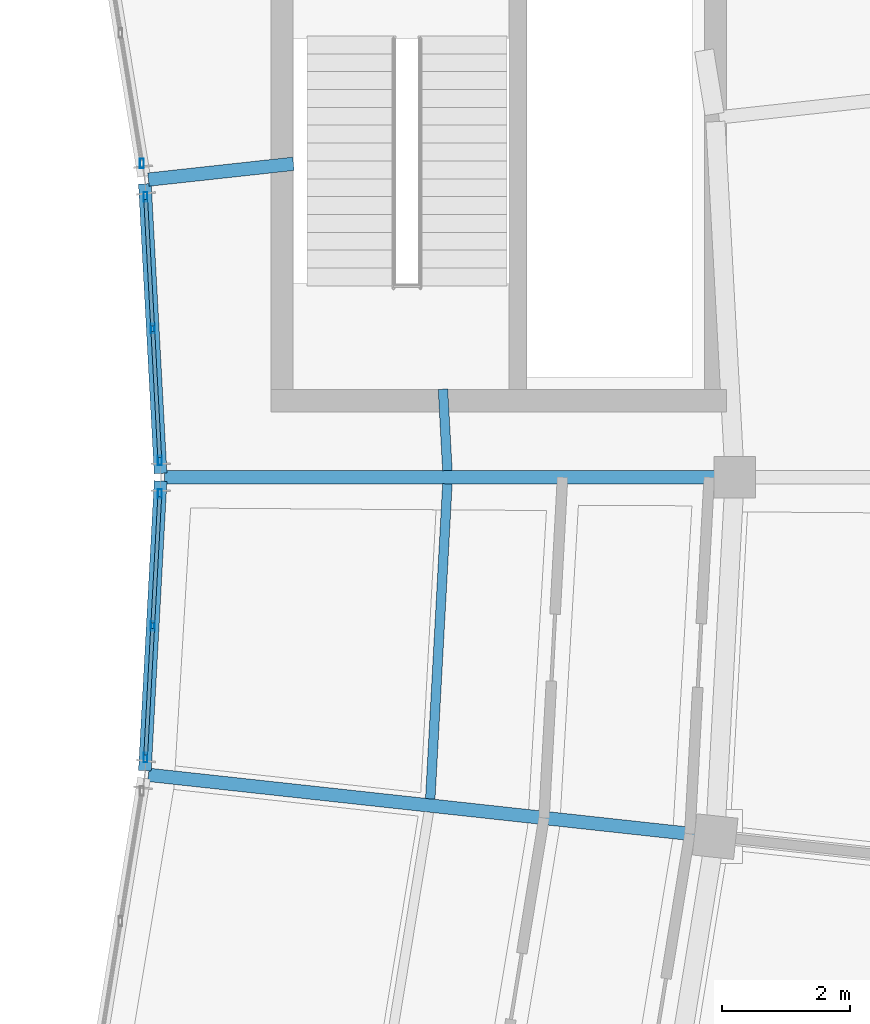
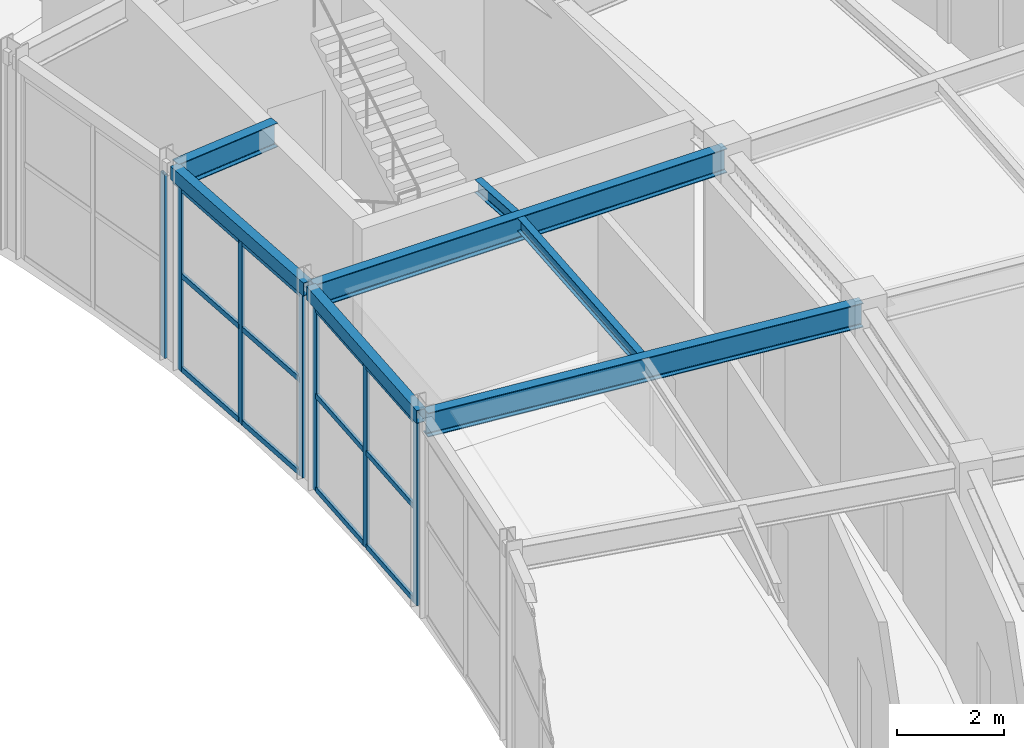
# One storey, part 67 of 108: 19 members, 7 beams, 3 elements without a shape of their own.
"""IFC4 building model written with IfcOpenShell, lengths in metres."""

import ifcopenshell
import ifcopenshell.guid

model = None  # the IFC model being written
_history = None  # IfcOwnerHistory: only IFC2X3 demands one
_inside = {}  # id of a spatial element -> (the spatial element, [elements in it])
_under = {}  # id of a project, library or spatial element -> (it, [spatial elements below it])
_declared = {}  # id of a project -> (the project, [libraries it declares])
_typed = {}  # id of a type object -> (the type object, [elements of that type])
_made_of = {}  # id of a material, layer set ... -> (it, [elements and type objects made of it])


def new_model(schema):
    """Start an empty IFC model of exactly this schema.

    Asked for "IFC4X3", IfcOpenShell would pick the latest addendum, in which some entities
    have other attributes; the version numbers below select the first issue.
    IFC2X3 requires an IfcOwnerHistory on every rooted entity: one is made here for all.
    """
    global model, _history
    if schema == "IFC4X3":
        model = ifcopenshell.file(schema_version=(4, 3, 0, 0))
    else:
        model = ifcopenshell.file(schema=schema)
    _inside.clear()
    _under.clear()
    _declared.clear()
    _typed.clear()
    _made_of.clear()
    _history = None
    if model.schema == "IFC2X3":
        org = make("IfcOrganization", Name="unknown")
        user = make(
            "IfcPersonAndOrganization",
            ThePerson=make("IfcPerson", FamilyName="unknown"),
            TheOrganization=org,
        )
        app = make(
            "IfcApplication",
            ApplicationDeveloper=org,
            Version="unknown",
            ApplicationFullName="unknown",
            ApplicationIdentifier="unknown",
        )
        _history = make(
            "IfcOwnerHistory",
            OwningUser=user,
            OwningApplication=app,
            ChangeAction="ADDED",
            CreationDate=0,
        )
    return model


def make(cls, **values):
    """One entity of the class cls with the attributes given. An attribute that is None is left unset."""
    return model.create_entity(
        cls, **{name: value for name, value in values.items() if value is not None}
    )


def rooted(cls, **values):
    """An entity with a GlobalId (a new one), such as an element, a storey or a relation."""
    return make(cls, GlobalId=ifcopenshell.guid.new(), OwnerHistory=_history, **values)


def si_unit(unit_type, name, prefix=None):
    """IfcSIUnit, for example si_unit("LENGTHUNIT", "METRE", prefix="MILLI")."""
    return make("IfcSIUnit", UnitType=unit_type, Prefix=prefix, Name=name)


def assignment(units):
    """IfcUnitAssignment: the units of a project."""
    return None if units is None else make("IfcUnitAssignment", Units=units)


def point(xyz):
    """IfcCartesianPoint."""
    return None if xyz is None else make("IfcCartesianPoint", Coordinates=xyz)


def direction(xyz):
    """IfcDirection."""
    return None if xyz is None else make("IfcDirection", DirectionRatios=xyz)


def frame(location, z_axis=None, x_axis=None):
    """IfcAxis2Placement3D, a coordinate frame: its origin and axes. An axis left out is left unset."""
    return make(
        "IfcAxis2Placement3D",
        Location=point(location),
        Axis=direction(z_axis),
        RefDirection=direction(x_axis),
    )


def frame_2d(location, x_axis=None):
    """IfcAxis2Placement2D, a coordinate frame in the plane: its origin and x axis."""
    return make(
        "IfcAxis2Placement2D", Location=point(location), RefDirection=direction(x_axis)
    )


def origin():
    """The frame at (0, 0, 0) with its axes left unset."""
    return frame((0.0, 0.0, 0.0))


def origin_2d():
    """The frame at (0, 0) in the plane with its x axis left unset."""
    return frame_2d((0.0, 0.0))


def place(relative_to, where):
    """IfcLocalPlacement: puts the frame where relative to a parent placement (None: the world)."""
    return make(
        "IfcLocalPlacement", PlacementRelTo=relative_to, RelativePlacement=where
    )


def context(
    kind, dimensions, precision=None, world=None, true_north=None, identifier=None
):
    """IfcGeometricRepresentationContext, for example the 3D "Model" context."""
    return make(
        "IfcGeometricRepresentationContext",
        ContextIdentifier=identifier,
        ContextType=kind,
        CoordinateSpaceDimension=dimensions,
        Precision=precision,
        WorldCoordinateSystem=world,
        TrueNorth=true_north,
    )


def subcontext(parent, identifier, kind, view, scale=None):
    """IfcGeometricRepresentationSubContext, for example "Body" below "Model"."""
    return make(
        "IfcGeometricRepresentationSubContext",
        ContextIdentifier=identifier,
        ContextType=kind,
        ParentContext=parent,
        TargetScale=scale,
        TargetView=view,
    )


def project(units=None, contexts=None):
    """IfcProject with its units and contexts."""
    return rooted(
        "IfcProject",
        Name="project",
        RepresentationContexts=contexts,
        UnitsInContext=assignment(units),
    )


def spatial(cls, under=None, at=None, **own):
    """A site, building, storey or space (cls), placed at a placement, below another one or the project."""
    s = rooted(cls, ObjectPlacement=at, **own)
    if under is not None:
        _under.setdefault(under.id(), (under, []))[1].append(s)
    return s


def profile(cls, at=None, kind="AREA", **sizes):
    """A parametric profile (cls). Its sizes go by their IFC names, for example OverallWidth=200.0."""
    return make(cls, ProfileType=kind, Position=at, **sizes)


def hollow_rectangle(**sizes):
    """IfcRectangleHollowProfileDef."""
    return profile("IfcRectangleHollowProfileDef", **sizes)


def i_section(**sizes):
    """IfcIShapeProfileDef."""
    return profile("IfcIShapeProfileDef", **sizes)


def extrude(swept, where, along, depth):
    """IfcExtrudedAreaSolid: the profile swept, set in the frame where, extruded along a direction by depth."""
    return make(
        "IfcExtrudedAreaSolid",
        SweptArea=swept,
        Position=where,
        ExtrudedDirection=direction(along),
        Depth=depth,
    )


def shape(context_of_items, identifier, shape_type, items):
    """IfcShapeRepresentation: the items that make up one representation, for example the "Body"."""
    return make(
        "IfcShapeRepresentation",
        ContextOfItems=context_of_items,
        RepresentationIdentifier=identifier,
        RepresentationType=shape_type,
        Items=items,
    )


def material(Name=None, Category=None):
    """IfcMaterial."""
    return make("IfcMaterial", Name=Name, Category=Category)


def material_profile(
    of_material, cross_section, Name=None, Category=None, Priority=None
):
    """IfcMaterialProfile: a cross section and its material."""
    return make(
        "IfcMaterialProfile",
        Name=Name,
        Material=of_material,
        Profile=cross_section,
        Priority=Priority,
        Category=Category,
    )


def profile_set(profiles, Name=None, composite=None):
    """IfcMaterialProfileSet."""
    return make(
        "IfcMaterialProfileSet",
        Name=Name,
        MaterialProfiles=profiles,
        CompositeProfile=composite,
    )


def made_of(thing, what):
    """Note that an element or type object is made of a material, layer set ...; save() writes the relation."""
    if what is not None:
        _made_of.setdefault(what.id(), (what, []))[1].append(thing)
    return thing


def type_object(cls, material=None, **own):
    """A type object (cls), such as IfcWallType, which elements share."""
    return made_of(rooted(cls, **own), material)


def element(
    cls,
    number,
    at=None,
    inside=None,
    cuts=None,
    type_object=None,
    material=None,
    context=None,
    identifier="Body",
    shape_type=None,
    held_by="IfcProductDefinitionShape",
    body=None,
    shapes=None,
    **own,
):
    """One element of the class cls, such as IfcWall. Its Tag is "e" and its number.

    at: its placement. inside: the storey or other place that contains it. cuts: it is an
    opening in that element (IfcRelVoidsElement). A single representation is given by context,
    identifier, shape_type and body (its items); several are given by shapes. held_by: the class
    of the entity that holds the representations. save() writes the other relations.
    """
    e = rooted(cls, Tag="e%d" % number, ObjectPlacement=at, **own)
    if body is not None:
        shapes = [shape(context, identifier, shape_type, body)]
    if shapes is not None:
        e.Representation = make(held_by, Representations=shapes)
    if inside is not None:
        _inside.setdefault(inside.id(), (inside, []))[1].append(e)
    if cuts is not None:
        rooted(
            "IfcRelVoidsElement", RelatingBuildingElement=cuts, RelatedOpeningElement=e
        )
    if type_object is not None:
        _typed.setdefault(type_object.id(), (type_object, []))[1].append(e)
    return made_of(e, material)


def aggregate(whole, parts):
    """IfcRelAggregates: a whole, such as a stair, and the parts it consists of."""
    return rooted("IfcRelAggregates", RelatingObject=whole, RelatedObjects=parts)


def save(model, path):
    """Write the relations noted so far, then the file.

    IfcRelAggregates (storeys below a building ...), IfcRelContainedInSpatialStructure (elements
    in a storey), IfcRelDefinesByType, IfcRelAssociatesMaterial and IfcRelDeclares: one each for
    every whole, place, type object, material and project.
    """
    for whole, parts in _under.values():
        aggregate(whole, parts)
    for where, things in _inside.values():
        rooted(
            "IfcRelContainedInSpatialStructure",
            RelatedElements=things,
            RelatingStructure=where,
        )
    for kind, things in _typed.values():
        rooted("IfcRelDefinesByType", RelatedObjects=things, RelatingType=kind)
    for what, things in _made_of.values():
        rooted("IfcRelAssociatesMaterial", RelatedObjects=things, RelatingMaterial=what)
    for by, libraries in _declared.values():
        rooted("IfcRelDeclares", RelatingContext=by, RelatedDefinitions=libraries)
    model.write(path)


model = new_model("IFC4")

# Units and contexts
model_context = context("Model", 3, precision=1e-05, world=origin(), true_north=direction((0.0, 1.0)))
body_context = subcontext(model_context, "Body", "Model", "MODEL_VIEW")
ifc_project = project(units=[si_unit("LENGTHUNIT", "METRE"), si_unit("AREAUNIT", "SQUARE_METRE"), si_unit("VOLUMEUNIT", "CUBIC_METRE"), si_unit("PLANEANGLEUNIT", "RADIAN"), si_unit("MASSUNIT", "GRAM", prefix="KILO")], contexts=[model_context])

# Site, building, storey
site_placement = place(None, origin())
site = spatial("IfcSite", under=ifc_project, at=site_placement, CompositionType="ELEMENT")
building_placement = place(site_placement, origin())
building = spatial("IfcBuilding", under=site, at=building_placement, Name="Tarnveldt Headland Concert Hall", CompositionType="ELEMENT")
storey_placement = place(building_placement, frame((0.0, 0.0, 9.60009765625)))
storey = spatial("IfcBuildingStorey", under=building, at=storey_placement, Name="L02", CompositionType="ELEMENT", Elevation=9.60009765625)

# Curtain wall, members
ifc_material_1 = material(Name="Marine-anodised aluminium EN AW-6063-T6", Category="aluminium")
curtain_wall_type = type_object("IfcCurtainWallType", Name="CW-C3", PredefinedType="NOTDEFINED", material=ifc_material_1)
curtain_wall_1_placement = place(storey_placement, origin())
curtain_wall_1 = element("IfcCurtainWall", 1, at=curtain_wall_1_placement, inside=storey, type_object=curtain_wall_type, Name="Curtain wall CW-L02-126", PredefinedType="NOTDEFINED")
ifc_material_profile_1 = material_profile(ifc_material_1, hollow_rectangle(XDim=0.06005859375, YDim=0.14990234375, WallThickness=0.00390625, at=origin_2d()), Name="ALU MULLION 60x150x4", Category="aluminium")
ifc_profile_set_1 = profile_set([ifc_material_profile_1], Name="Marine-anodised aluminium EN AW-6063-T6")
member_type_1 = type_object("IfcMemberType", Name="ML-150", PredefinedType="MULLION", material=ifc_profile_set_1)
member_1_placement = place(storey_placement, frame((160.260986328125, 55.60400390625, 0.0), z_axis=(0.0, 0.0, 1.0), x_axis=(1.0, 0.0, 0.0)))
member_1 = element("IfcMember", 2, at=member_1_placement, type_object=member_type_1, Name="Mullion CW-L02-126-1", PredefinedType="MULLION", context=body_context, shape_type="SweptSolid", body=[
    extrude(hollow_rectangle(XDim=0.06005859375, YDim=0.14990234375, WallThickness=0.00390625, at=origin_2d()), origin(), (0.0, 0.0, 1.0), 4.18994140625),
])
member_2_placement = place(storey_placement, frame((160.373291015625, 57.669677734375, 0.0), z_axis=(0.0, 0.0, 1.0), x_axis=(1.0, 0.0, 0.0)))
member_2 = element("IfcMember", 3, at=member_2_placement, type_object=member_type_1, Name="Mullion CW-L02-126-2", PredefinedType="MULLION", context=body_context, shape_type="SweptSolid", body=[
    extrude(hollow_rectangle(XDim=0.06005859375, YDim=0.14990234375, WallThickness=0.00390625, at=origin_2d()), origin(), (0.0, 0.0, 1.0), 4.18994140625),
])
member_3_placement = place(storey_placement, frame((160.485595703125, 59.7353515625, 0.0), z_axis=(0.0, 0.0, 1.0), x_axis=(1.0, 0.0, 0.0)))
member_3 = element("IfcMember", 4, at=member_3_placement, type_object=member_type_1, Name="Mullion CW-L02-126-3", PredefinedType="MULLION", context=body_context, shape_type="SweptSolid", body=[
    extrude(hollow_rectangle(XDim=0.06005859375, YDim=0.14990234375, WallThickness=0.00390625, at=origin_2d()), origin(), (0.0, 0.0, 1.0), 4.18994140625),
])

curtain_wall_2_placement = place(storey_placement, origin())
curtain_wall_2 = element("IfcCurtainWall", 5, at=curtain_wall_2_placement, inside=storey, type_object=curtain_wall_type, Name="Curtain wall CW-L02-127", PredefinedType="NOTDEFINED")
member_4_placement = place(storey_placement, frame((160.485595703125, 60.2646484375, 0.0), z_axis=(0.0, 0.0, 1.0), x_axis=(1.0, 0.0, 0.0)))
member_4 = element("IfcMember", 6, at=member_4_placement, type_object=member_type_1, Name="Mullion CW-L02-127-1", PredefinedType="MULLION", context=body_context, shape_type="SweptSolid", body=[
    extrude(hollow_rectangle(XDim=0.06005859375, YDim=0.14990234375, WallThickness=0.00390625, at=origin_2d()), origin(), (0.0, 0.0, 1.0), 4.18994140625),
])
member_5_placement = place(storey_placement, frame((160.373291015625, 62.330322265625, 0.0), z_axis=(0.0, 0.0, 1.0), x_axis=(1.0, 0.0, 0.0)))
member_5 = element("IfcMember", 7, at=member_5_placement, type_object=member_type_1, Name="Mullion CW-L02-127-2", PredefinedType="MULLION", context=body_context, shape_type="SweptSolid", body=[
    extrude(hollow_rectangle(XDim=0.06005859375, YDim=0.14990234375, WallThickness=0.00390625, at=origin_2d()), origin(), (0.0, 0.0, 1.0), 4.18994140625),
])
member_6_placement = place(storey_placement, frame((160.260986328125, 64.39599609375, 0.0), z_axis=(0.0, 0.0, 1.0), x_axis=(1.0, 0.0, 0.0)))
member_6 = element("IfcMember", 8, at=member_6_placement, type_object=member_type_1, Name="Mullion CW-L02-127-3", PredefinedType="MULLION", context=body_context, shape_type="SweptSolid", body=[
    extrude(hollow_rectangle(XDim=0.06005859375, YDim=0.14990234375, WallThickness=0.00390625, at=origin_2d()), origin(), (0.0, 0.0, 1.0), 4.18994140625),
])

# Curtain wall, member
curtain_wall_3_placement = place(storey_placement, origin())
curtain_wall_3 = element("IfcCurtainWall", 9, at=curtain_wall_3_placement, inside=storey, type_object=curtain_wall_type, Name="Curtain wall CW-L02-128", PredefinedType="NOTDEFINED")
member_7_placement = place(storey_placement, frame((160.20361328125, 64.922119140625, 0.0), z_axis=(0.0, 0.0, 1.0), x_axis=(1.0, 0.0, 0.0)))
member_7 = element("IfcMember", 10, at=member_7_placement, type_object=member_type_1, Name="Mullion CW-L02-128-1", PredefinedType="MULLION", context=body_context, shape_type="SweptSolid", body=[
    extrude(hollow_rectangle(XDim=0.06005859375, YDim=0.14990234375, WallThickness=0.00390625, at=origin_2d()), origin(), (0.0, 0.0, 1.0), 4.18994140625),
])
aggregate(curtain_wall_3, [member_7])

# Beams
ifc_material_2 = material(Name="Steel S355", Category="steel")
ifc_material_profile_2 = material_profile(ifc_material_2, i_section(OverallWidth=0.14990234375, OverallDepth=0.300048828125, WebThickness=0.007080078125, FlangeThickness=0.0107421875, FilletRadius=0.014892578125, at=origin_2d()), Name="IPE300", Category="steel")
ifc_profile_set_2 = profile_set([ifc_material_profile_2], Name="Steel S355")
beam_type_1 = type_object("IfcBeamType", Name="SB-IPE300", PredefinedType="JOIST", material=ifc_profile_set_2)
beam_1_placement = place(storey_placement, frame((164.725830078125, 54.95654296875, 4.39990234375), z_axis=(0.054297162642, 0.998524820988, 0.0), x_axis=(-0.998524820988, 0.054297162642, 0.0)))
element("IfcBeam", 11, at=beam_1_placement, inside=storey, type_object=beam_type_1, Name="Framing beam L02-1099", PredefinedType="JOIST", context=body_context, shape_type="SweptSolid", body=[
    extrude(i_section(OverallWidth=0.14990234375, OverallDepth=0.300048828125, WebThickness=0.007080078125, FlangeThickness=0.0107421875, FilletRadius=0.014892578125, at=origin_2d()), origin(), (0.0, 0.0, 1.0), 4.946044921875),
])
beam_2_placement = place(storey_placement, frame((164.994384765625, 60.104736328125, 4.39990234375), z_axis=(-0.05429467501, 0.998524956256, 0.0), x_axis=(-0.998524956256, -0.05429467501, 0.0)))
element("IfcBeam", 12, at=beam_2_placement, inside=storey, type_object=beam_type_1, Name="Framing beam L02-1106", PredefinedType="JOIST", context=body_context, shape_type="SweptSolid", body=[
    extrude(i_section(OverallWidth=0.14990234375, OverallDepth=0.300048828125, WebThickness=0.007080078125, FlangeThickness=0.0107421875, FilletRadius=0.014892578125, at=origin_2d()), origin(), (0.0, 0.0, 1.0), 1.277099609375),
])
ifc_material_profile_3 = material_profile(ifc_material_2, i_section(OverallWidth=0.2099609375, OverallDepth=0.550048828125, WebThickness=0.010986328125, FlangeThickness=0.01708984375, FilletRadius=0.02392578125, at=origin_2d()), Name="IPE550", Category="steel")
ifc_profile_set_3 = profile_set([ifc_material_profile_3], Name="Steel S355")
beam_type_2 = type_object("IfcBeamType", Name="SB-IPE550", PredefinedType="BEAM", material=ifc_profile_set_3)
for number, where, z_axis, x_axis, name in (
    (13, (160.306396484375, 55.3330078125, 4.27490234375), (0.994109611255, -0.108379337562, 0.0), (0.108379337562, 0.994109611255, 0.0), "Framing beam L02-1094"),
    (14, (160.56005859375, 60.0, 4.27490234375), (1.0, 0.0, 0.0), (0.0, 1.0, 0.0), "Framing beam L02-1101"),
):
    element("IfcBeam", number, at=place(storey_placement, frame(where, z_axis=z_axis, x_axis=x_axis)), inside=storey, type_object=beam_type_2, Name=name, PredefinedType="BEAM", context=body_context, shape_type="SweptSolid", body=[
        extrude(i_section(OverallWidth=0.2099609375, OverallDepth=0.550048828125, WebThickness=0.010986328125, FlangeThickness=0.01708984375, FilletRadius=0.02392578125, at=origin_2d()), origin(), (0.0, 0.0, 1.0), 8.8798828125),
    ])
beam_3_placement = place(storey_placement, frame((160.306396484375, 64.6669921875, 4.27490234375), z_axis=(0.994101758136, 0.108451346104, 0.0), x_axis=(-0.108451346104, 0.994101758136, 0.0)))
element("IfcBeam", 15, at=beam_3_placement, inside=storey, type_object=beam_type_2, Name="Framing beam L02-1108", PredefinedType="BEAM", context=body_context, shape_type="SweptSolid", body=[
    extrude(i_section(OverallWidth=0.2099609375, OverallDepth=0.550048828125, WebThickness=0.010986328125, FlangeThickness=0.01708984375, FilletRadius=0.02392578125, at=origin_2d()), origin(), (0.0, 0.0, 1.0), 2.287109375),
])
ifc_material_profile_4 = material_profile(ifc_material_2, hollow_rectangle(XDim=0.199951171875, YDim=0.300048828125, WallThickness=0.012451171875, at=origin_2d()), Name="RHS 300x200x12.5", Category="steel")
ifc_profile_set_4 = profile_set([ifc_material_profile_4], Name="Steel S355")
beam_type_3 = type_object("IfcBeamType", Name="SB-RHS300", PredefinedType="SPANDREL", material=ifc_profile_set_4)
for number, where, z_axis, x_axis, name in (
    (16, (160.25, 55.3994140625, 4.39990234375), (0.05422410232, 0.998528791136, 0.0), (-0.998528791136, 0.05422410232, 0.0), "Framing beam L02-1096"),
    (17, (160.49658203125, 60.059814453125, 4.39990234375), (-0.05422410232, 0.998528791136, 0.0), (-0.998528791136, -0.05422410232, 0.0), "Framing beam L02-1103"),
):
    element("IfcBeam", number, at=place(storey_placement, frame(where, z_axis=z_axis, x_axis=x_axis)), inside=storey, type_object=beam_type_3, Name=name, PredefinedType="SPANDREL", context=body_context, shape_type="SweptSolid", body=[
        extrude(hollow_rectangle(XDim=0.199951171875, YDim=0.300048828125, WallThickness=0.012451171875, at=origin_2d()), origin(), (0.0, 0.0, 1.0), 4.54736328125),
    ])

# Member
ifc_material_profile_5 = material_profile(ifc_material_1, hollow_rectangle(XDim=0.06005859375, YDim=0.1201171875, WallThickness=0.00390625, at=origin_2d()), Name="ALU TRANSOM 60x120x4", Category="aluminium")
ifc_profile_set_5 = profile_set([ifc_material_profile_5], Name="Marine-anodised aluminium EN AW-6063-T6")
member_type_2 = type_object("IfcMemberType", Name="TR-110", PredefinedType="MEMBER", material=ifc_profile_set_5)
member_8_placement = place(storey_placement, frame((160.263427734375, 55.64599609375, 0.0498046875), z_axis=(0.054250408618, 0.998527362251, 0.0), x_axis=(-0.998527362251, 0.054250408618, 0.0)))
member_8 = element("IfcMember", 18, at=member_8_placement, type_object=member_type_2, Name="Transom CW-L02-126-1-1", PredefinedType="MEMBER", context=body_context, shape_type="SweptSolid", body=[
    extrude(hollow_rectangle(XDim=0.06005859375, YDim=0.1201171875, WallThickness=0.00390625, at=origin_2d()), origin(), (0.0, 0.0, 1.0), 1.984619140625),
])

member_9_placement = place(storey_placement, frame((160.263427734375, 55.64599609375, 2.1787109375), z_axis=(0.054250408618, 0.998527362251, 0.0), x_axis=(-0.998527362251, 0.054250408618, 0.0)))
member_9 = element("IfcMember", 19, at=member_9_placement, type_object=member_type_2, Name="Transom CW-L02-126-1-2", PredefinedType="MEMBER", context=body_context, shape_type="SweptSolid", body=[
    extrude(hollow_rectangle(XDim=0.06005859375, YDim=0.1201171875, WallThickness=0.00390625, at=origin_2d()), origin(), (0.0, 0.0, 1.0), 1.984619140625),
])

member_10_placement = place(storey_placement, frame((160.263427734375, 55.64599609375, 4.139892578125), z_axis=(0.054250408618, 0.998527362251, 0.0), x_axis=(-0.998527362251, 0.054250408618, 0.0)))
member_10 = element("IfcMember", 20, at=member_10_placement, type_object=member_type_2, Name="Transom CW-L02-126-1-3", PredefinedType="MEMBER", context=body_context, shape_type="SweptSolid", body=[
    extrude(hollow_rectangle(XDim=0.06005859375, YDim=0.1201171875, WallThickness=0.00390625, at=origin_2d()), origin(), (0.0, 0.0, 1.0), 1.984619140625),
])

member_11_placement = place(storey_placement, frame((160.37548828125, 57.711669921875, 0.0498046875), z_axis=(0.054366384096, 0.9985210545, 0.0), x_axis=(-0.9985210545, 0.054366384096, 0.0)))
member_11 = element("IfcMember", 21, at=member_11_placement, type_object=member_type_2, Name="Transom CW-L02-126-2-1", PredefinedType="MEMBER", context=body_context, shape_type="SweptSolid", body=[
    extrude(hollow_rectangle(XDim=0.06005859375, YDim=0.1201171875, WallThickness=0.00390625, at=origin_2d()), origin(), (0.0, 0.0, 1.0), 1.98486328125),
])

member_12_placement = place(storey_placement, frame((160.37548828125, 57.711669921875, 2.1787109375), z_axis=(0.054366384096, 0.9985210545, 0.0), x_axis=(-0.9985210545, 0.054366384096, 0.0)))
member_12 = element("IfcMember", 22, at=member_12_placement, type_object=member_type_2, Name="Transom CW-L02-126-2-2", PredefinedType="MEMBER", context=body_context, shape_type="SweptSolid", body=[
    extrude(hollow_rectangle(XDim=0.06005859375, YDim=0.1201171875, WallThickness=0.00390625, at=origin_2d()), origin(), (0.0, 0.0, 1.0), 1.98486328125),
])

member_13_placement = place(storey_placement, frame((160.37548828125, 57.711669921875, 4.139892578125), z_axis=(0.054366384096, 0.9985210545, 0.0), x_axis=(-0.9985210545, 0.054366384096, 0.0)))
member_13 = element("IfcMember", 23, at=member_13_placement, type_object=member_type_2, Name="Transom CW-L02-126-2-3", PredefinedType="MEMBER", context=body_context, shape_type="SweptSolid", body=[
    extrude(hollow_rectangle(XDim=0.06005859375, YDim=0.1201171875, WallThickness=0.00390625, at=origin_2d()), origin(), (0.0, 0.0, 1.0), 1.98486328125),
])

aggregate(curtain_wall_1, [member_1, member_2, member_3, member_8, member_9, member_10, member_11, member_12, member_13])

member_14_placement = place(storey_placement, frame((160.4833984375, 60.306396484375, 0.0498046875), z_axis=(-0.054366384096, 0.9985210545, 0.0), x_axis=(-0.9985210545, -0.054366384096, 0.0)))
member_14 = element("IfcMember", 24, at=member_14_placement, type_object=member_type_2, Name="Transom CW-L02-127-1-1", PredefinedType="MEMBER", context=body_context, shape_type="SweptSolid", body=[
    extrude(hollow_rectangle(XDim=0.06005859375, YDim=0.1201171875, WallThickness=0.00390625, at=origin_2d()), origin(), (0.0, 0.0, 1.0), 1.98486328125),
])

member_15_placement = place(storey_placement, frame((160.4833984375, 60.306396484375, 2.1787109375), z_axis=(-0.054366384096, 0.9985210545, 0.0), x_axis=(-0.9985210545, -0.054366384096, 0.0)))
member_15 = element("IfcMember", 25, at=member_15_placement, type_object=member_type_2, Name="Transom CW-L02-127-1-2", PredefinedType="MEMBER", context=body_context, shape_type="SweptSolid", body=[
    extrude(hollow_rectangle(XDim=0.06005859375, YDim=0.1201171875, WallThickness=0.00390625, at=origin_2d()), origin(), (0.0, 0.0, 1.0), 1.98486328125),
])

member_16_placement = place(storey_placement, frame((160.4833984375, 60.306396484375, 4.139892578125), z_axis=(-0.054366384096, 0.9985210545, 0.0), x_axis=(-0.9985210545, -0.054366384096, 0.0)))
member_16 = element("IfcMember", 26, at=member_16_placement, type_object=member_type_2, Name="Transom CW-L02-127-1-3", PredefinedType="MEMBER", context=body_context, shape_type="SweptSolid", body=[
    extrude(hollow_rectangle(XDim=0.06005859375, YDim=0.1201171875, WallThickness=0.00390625, at=origin_2d()), origin(), (0.0, 0.0, 1.0), 1.98486328125),
])

member_17_placement = place(storey_placement, frame((160.37109375, 62.372314453125, 0.0498046875), z_axis=(-0.054250408618, 0.998527362251, 0.0), x_axis=(-0.998527362251, -0.054250408618, 0.0)))
member_17 = element("IfcMember", 27, at=member_17_placement, type_object=member_type_2, Name="Transom CW-L02-127-2-1", PredefinedType="MEMBER", context=body_context, shape_type="SweptSolid", body=[
    extrude(hollow_rectangle(XDim=0.06005859375, YDim=0.1201171875, WallThickness=0.00390625, at=origin_2d()), origin(), (0.0, 0.0, 1.0), 1.984619140625),
])

member_18_placement = place(storey_placement, frame((160.37109375, 62.372314453125, 2.1787109375), z_axis=(-0.054250408618, 0.998527362251, 0.0), x_axis=(-0.998527362251, -0.054250408618, 0.0)))
member_18 = element("IfcMember", 28, at=member_18_placement, type_object=member_type_2, Name="Transom CW-L02-127-2-2", PredefinedType="MEMBER", context=body_context, shape_type="SweptSolid", body=[
    extrude(hollow_rectangle(XDim=0.06005859375, YDim=0.1201171875, WallThickness=0.00390625, at=origin_2d()), origin(), (0.0, 0.0, 1.0), 1.984619140625),
])

member_19_placement = place(storey_placement, frame((160.37109375, 62.372314453125, 4.139892578125), z_axis=(-0.054250408618, 0.998527362251, 0.0), x_axis=(-0.998527362251, -0.054250408618, 0.0)))
member_19 = element("IfcMember", 29, at=member_19_placement, type_object=member_type_2, Name="Transom CW-L02-127-2-3", PredefinedType="MEMBER", context=body_context, shape_type="SweptSolid", body=[
    extrude(hollow_rectangle(XDim=0.06005859375, YDim=0.1201171875, WallThickness=0.00390625, at=origin_2d()), origin(), (0.0, 0.0, 1.0), 1.984619140625),
])

aggregate(curtain_wall_2, [member_4, member_5, member_6, member_14, member_15, member_16, member_17, member_18, member_19])

save(model, "model.ifc")
